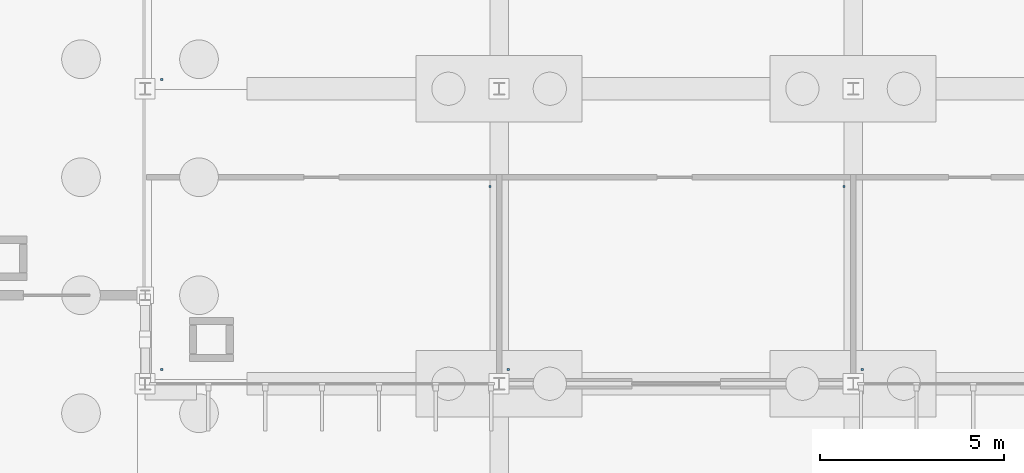
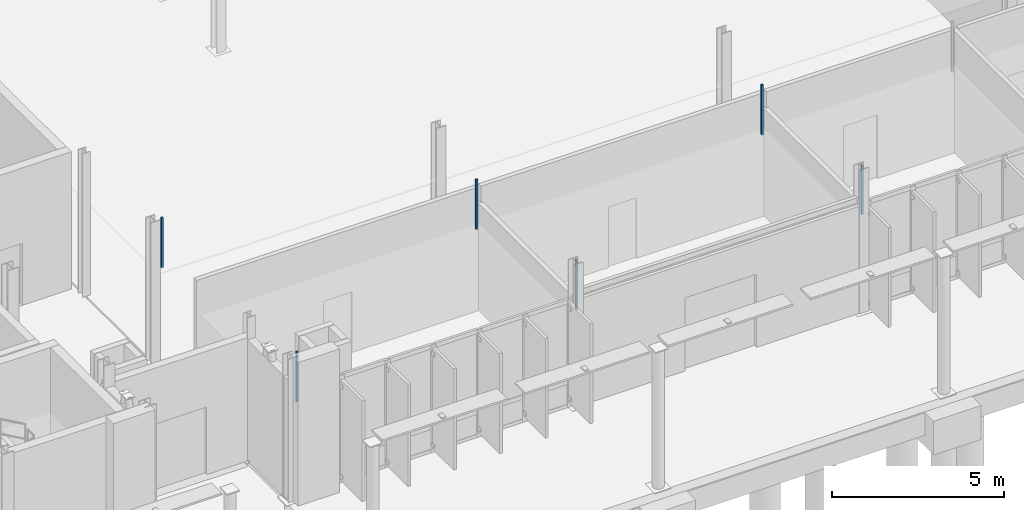
# One storey, part 71 of 111: 6 discrete accessories.
"""IFC4 building model written with IfcOpenShell, lengths in metres."""

from ifc_helpers import new_model, si_unit, direction, frame, origin, place, context, subcontext, project, spatial, polyline, outline, extrude, material, type_object, element, save


model = new_model("IFC4")

# Units and contexts
model_context = context("Model", 3, precision=1e-05, world=origin(), true_north=direction((0.0, 1.0)))
body_context = subcontext(model_context, "Body", "Model", "MODEL_VIEW")
ifc_project = project(units=[si_unit("LENGTHUNIT", "METRE"), si_unit("AREAUNIT", "SQUARE_METRE"), si_unit("VOLUMEUNIT", "CUBIC_METRE"), si_unit("PLANEANGLEUNIT", "RADIAN"), si_unit("MASSUNIT", "GRAM", prefix="KILO")], contexts=[model_context])

# Site, building, storey
site_placement = place(None, origin())
site = spatial("IfcSite", under=ifc_project, at=site_placement, CompositionType="ELEMENT")
building_placement = place(site_placement, origin())
building = spatial("IfcBuilding", under=site, at=building_placement, Name="Dunescarp Central Library", CompositionType="ELEMENT")
storey_placement = place(building_placement, origin())
storey = spatial("IfcBuildingStorey", under=building, at=storey_placement, Name="L00", CompositionType="ELEMENT", Elevation=0.0)

# Discrete accessories
ifc_material = material(Name="Stainless steel Grade 316L", Category="steel")
discrete_accessory_type = type_object("IfcDiscreteAccessoryType", Name="ARC-ACC-BRK", PredefinedType="BRACKET", material=ifc_material)
discrete_accessory_1_placement = place(storey_placement, frame((0.0, 0.0, 3.06005859375)))
element("IfcDiscreteAccessory", 1, at=discrete_accessory_1_placement, inside=storey, type_object=discrete_accessory_type, Name="L00 ceiling hanger CLG-L00-046-H1", PredefinedType="BRACKET", context=body_context, shape_type="SweptSolid", body=[
    extrude(outline(polyline([(38.820068359375, 5.159912109375), (38.8798828125, 5.159912109375), (38.8798828125, 5.219970703125), (38.820068359375, 5.219970703125), (38.820068359375, 5.159912109375)])), origin(), (0.0, 0.0, 1.0), 1.780029296875),
])
discrete_accessory_2_placement = place(storey_placement, frame((0.0, 0.0, 3.06005859375)))
element("IfcDiscreteAccessory", 2, at=discrete_accessory_2_placement, inside=storey, type_object=discrete_accessory_type, Name="L00 ceiling hanger CLG-L00-046-H2", PredefinedType="BRACKET", context=body_context, shape_type="SweptSolid", body=[
    extrude(outline(polyline([(47.719970703125, 10.1201171875), (47.780029296875, 10.1201171875), (47.780029296875, 10.179931640625), (47.719970703125, 10.179931640625), (47.719970703125, 10.1201171875)])), origin(), (0.0, 0.0, 1.0), 1.780029296875),
])
discrete_accessory_3_placement = place(storey_placement, frame((0.0, 0.0, 3.06005859375)))
element("IfcDiscreteAccessory", 3, at=discrete_accessory_3_placement, inside=storey, type_object=discrete_accessory_type, Name="L00 ceiling hanger CLG-L00-047-H1", PredefinedType="BRACKET", context=body_context, shape_type="SweptSolid", body=[
    extrude(outline(polyline([(48.219970703125, 5.159912109375), (48.280029296875, 5.159912109375), (48.280029296875, 5.219970703125), (48.219970703125, 5.219970703125), (48.219970703125, 5.159912109375)])), origin(), (0.0, 0.0, 1.0), 1.780029296875),
])
discrete_accessory_4_placement = place(storey_placement, frame((0.0, 0.0, 3.06005859375)))
element("IfcDiscreteAccessory", 4, at=discrete_accessory_4_placement, inside=storey, type_object=discrete_accessory_type, Name="L00 ceiling hanger CLG-L00-047-H2", PredefinedType="BRACKET", context=body_context, shape_type="SweptSolid", body=[
    extrude(outline(polyline([(57.320068359375, 10.1201171875), (57.3798828125, 10.1201171875), (57.3798828125, 10.179931640625), (57.320068359375, 10.179931640625), (57.320068359375, 10.1201171875)])), origin(), (0.0, 0.0, 1.0), 1.780029296875),
])
discrete_accessory_5_placement = place(storey_placement, frame((0.0, 0.0, 3.06005859375)))
element("IfcDiscreteAccessory", 5, at=discrete_accessory_5_placement, inside=storey, type_object=discrete_accessory_type, Name="L00 ceiling hanger CLG-L00-048-H1", PredefinedType="BRACKET", context=body_context, shape_type="SweptSolid", body=[
    extrude(outline(polyline([(57.820068359375, 5.159912109375), (57.8798828125, 5.159912109375), (57.8798828125, 5.219970703125), (57.820068359375, 5.219970703125), (57.820068359375, 5.159912109375)])), origin(), (0.0, 0.0, 1.0), 1.780029296875),
])
discrete_accessory_6_placement = place(storey_placement, frame((0.0, 0.0, 3.06005859375)))
element("IfcDiscreteAccessory", 6, at=discrete_accessory_6_placement, inside=storey, type_object=discrete_accessory_type, Name="L00 ceiling hanger CLG-L00-049-H1", PredefinedType="BRACKET", context=body_context, shape_type="SweptSolid", body=[
    extrude(outline(polyline([(38.820068359375, 13.02001953125), (38.8798828125, 13.02001953125), (38.8798828125, 13.080078125), (38.820068359375, 13.080078125), (38.820068359375, 13.02001953125)])), origin(), (0.0, 0.0, 1.0), 1.780029296875),
])

save(model, "model.ifc")
